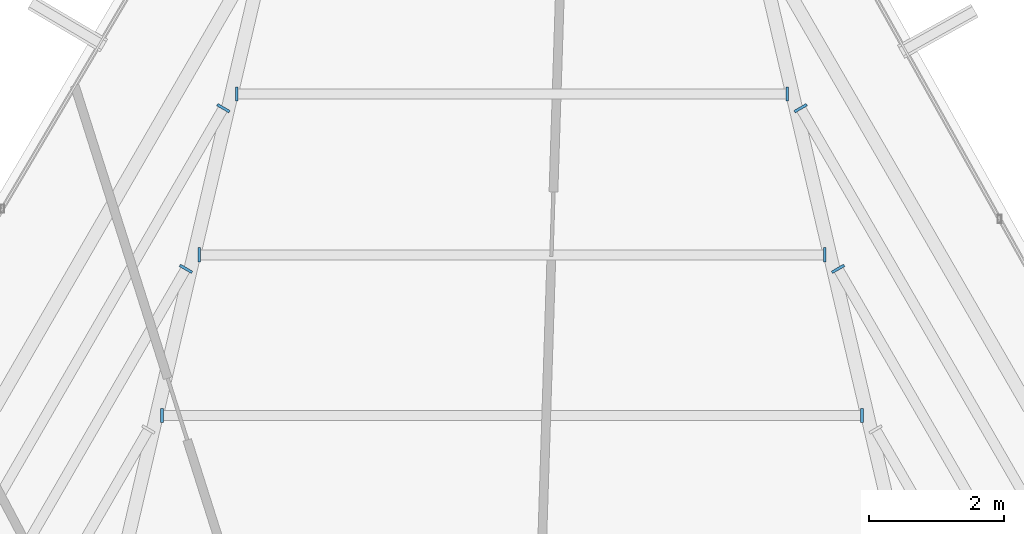
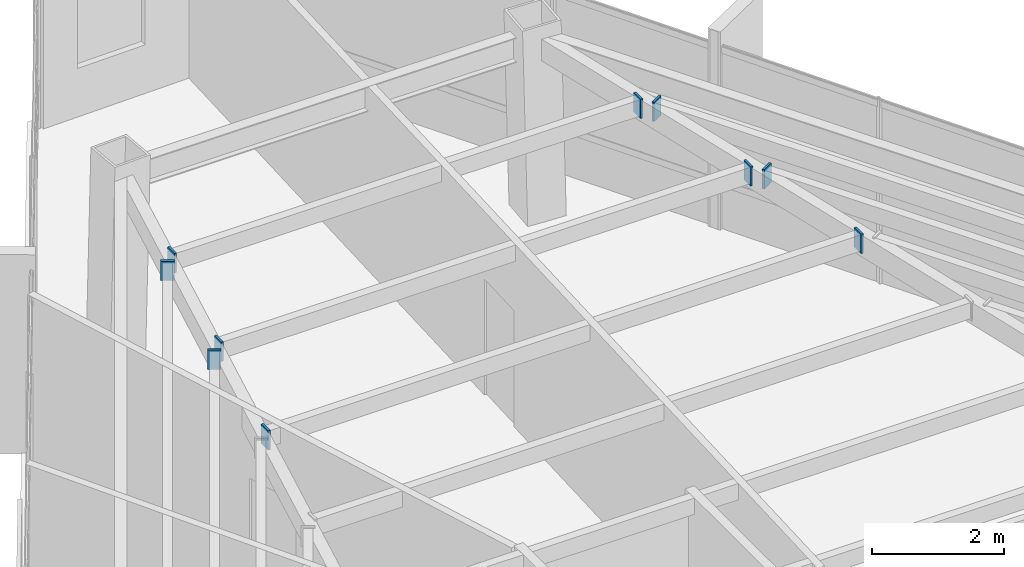
# One storey, part 39 of 45: 10 plates.
"""IFC4 building model written with IfcOpenShell, lengths in metres."""

import ifcopenshell
import ifcopenshell.guid

model = None  # the IFC model being written
_history = None  # IfcOwnerHistory: only IFC2X3 demands one
_inside = {}  # id of a spatial element -> (the spatial element, [elements in it])
_under = {}  # id of a project, library or spatial element -> (it, [spatial elements below it])
_declared = {}  # id of a project -> (the project, [libraries it declares])
_typed = {}  # id of a type object -> (the type object, [elements of that type])
_made_of = {}  # id of a material, layer set ... -> (it, [elements and type objects made of it])


def new_model(schema):
    """Start an empty IFC model of exactly this schema.

    Asked for "IFC4X3", IfcOpenShell would pick the latest addendum, in which some entities
    have other attributes; the version numbers below select the first issue.
    IFC2X3 requires an IfcOwnerHistory on every rooted entity: one is made here for all.
    """
    global model, _history
    if schema == "IFC4X3":
        model = ifcopenshell.file(schema_version=(4, 3, 0, 0))
    else:
        model = ifcopenshell.file(schema=schema)
    _inside.clear()
    _under.clear()
    _declared.clear()
    _typed.clear()
    _made_of.clear()
    _history = None
    if model.schema == "IFC2X3":
        org = make("IfcOrganization", Name="unknown")
        user = make(
            "IfcPersonAndOrganization",
            ThePerson=make("IfcPerson", FamilyName="unknown"),
            TheOrganization=org,
        )
        app = make(
            "IfcApplication",
            ApplicationDeveloper=org,
            Version="unknown",
            ApplicationFullName="unknown",
            ApplicationIdentifier="unknown",
        )
        _history = make(
            "IfcOwnerHistory",
            OwningUser=user,
            OwningApplication=app,
            ChangeAction="ADDED",
            CreationDate=0,
        )
    return model


def make(cls, **values):
    """One entity of the class cls with the attributes given. An attribute that is None is left unset."""
    return model.create_entity(
        cls, **{name: value for name, value in values.items() if value is not None}
    )


def rooted(cls, **values):
    """An entity with a GlobalId (a new one), such as an element, a storey or a relation."""
    return make(cls, GlobalId=ifcopenshell.guid.new(), OwnerHistory=_history, **values)


def si_unit(unit_type, name, prefix=None):
    """IfcSIUnit, for example si_unit("LENGTHUNIT", "METRE", prefix="MILLI")."""
    return make("IfcSIUnit", UnitType=unit_type, Prefix=prefix, Name=name)


def assignment(units):
    """IfcUnitAssignment: the units of a project."""
    return None if units is None else make("IfcUnitAssignment", Units=units)


def point(xyz):
    """IfcCartesianPoint."""
    return None if xyz is None else make("IfcCartesianPoint", Coordinates=xyz)


def direction(xyz):
    """IfcDirection."""
    return None if xyz is None else make("IfcDirection", DirectionRatios=xyz)


def frame(location, z_axis=None, x_axis=None):
    """IfcAxis2Placement3D, a coordinate frame: its origin and axes. An axis left out is left unset."""
    return make(
        "IfcAxis2Placement3D",
        Location=point(location),
        Axis=direction(z_axis),
        RefDirection=direction(x_axis),
    )


def frame_2d(location, x_axis=None):
    """IfcAxis2Placement2D, a coordinate frame in the plane: its origin and x axis."""
    return make(
        "IfcAxis2Placement2D", Location=point(location), RefDirection=direction(x_axis)
    )


def origin():
    """The frame at (0, 0, 0) with its axes left unset."""
    return frame((0.0, 0.0, 0.0))


def origin_2d():
    """The frame at (0, 0) in the plane with its x axis left unset."""
    return frame_2d((0.0, 0.0))


def place(relative_to, where):
    """IfcLocalPlacement: puts the frame where relative to a parent placement (None: the world)."""
    return make(
        "IfcLocalPlacement", PlacementRelTo=relative_to, RelativePlacement=where
    )


def context(
    kind, dimensions, precision=None, world=None, true_north=None, identifier=None
):
    """IfcGeometricRepresentationContext, for example the 3D "Model" context."""
    return make(
        "IfcGeometricRepresentationContext",
        ContextIdentifier=identifier,
        ContextType=kind,
        CoordinateSpaceDimension=dimensions,
        Precision=precision,
        WorldCoordinateSystem=world,
        TrueNorth=true_north,
    )


def subcontext(parent, identifier, kind, view, scale=None):
    """IfcGeometricRepresentationSubContext, for example "Body" below "Model"."""
    return make(
        "IfcGeometricRepresentationSubContext",
        ContextIdentifier=identifier,
        ContextType=kind,
        ParentContext=parent,
        TargetScale=scale,
        TargetView=view,
    )


def project(units=None, contexts=None):
    """IfcProject with its units and contexts."""
    return rooted(
        "IfcProject",
        Name="project",
        RepresentationContexts=contexts,
        UnitsInContext=assignment(units),
    )


def spatial(cls, under=None, at=None, **own):
    """A site, building, storey or space (cls), placed at a placement, below another one or the project."""
    s = rooted(cls, ObjectPlacement=at, **own)
    if under is not None:
        _under.setdefault(under.id(), (under, []))[1].append(s)
    return s


def profile(cls, at=None, kind="AREA", **sizes):
    """A parametric profile (cls). Its sizes go by their IFC names, for example OverallWidth=200.0."""
    return make(cls, ProfileType=kind, Position=at, **sizes)


def rectangle(**sizes):
    """IfcRectangleProfileDef."""
    return profile("IfcRectangleProfileDef", **sizes)


def extrude(swept, where, along, depth):
    """IfcExtrudedAreaSolid: the profile swept, set in the frame where, extruded along a direction by depth."""
    return make(
        "IfcExtrudedAreaSolid",
        SweptArea=swept,
        Position=where,
        ExtrudedDirection=direction(along),
        Depth=depth,
    )


def shape(context_of_items, identifier, shape_type, items):
    """IfcShapeRepresentation: the items that make up one representation, for example the "Body"."""
    return make(
        "IfcShapeRepresentation",
        ContextOfItems=context_of_items,
        RepresentationIdentifier=identifier,
        RepresentationType=shape_type,
        Items=items,
    )


def source(mapping_origin, context_of_items, identifier, shape_type, items):
    """IfcRepresentationMap: a shape defined once, which mapped items show again and again."""
    return make(
        "IfcRepresentationMap",
        MappingOrigin=mapping_origin,
        MappedRepresentation=shape(context_of_items, identifier, shape_type, items),
    )


def transform(
    local_origin,
    x_axis=None,
    y_axis=None,
    z_axis=None,
    scale=None,
    scale2=None,
    scale3=None,
    uniform=True,
):
    """IfcCartesianTransformationOperator3D, or its non-uniform kind. x_axis, y_axis, z_axis: its Axis1, 2, 3."""
    if uniform:
        return make(
            "IfcCartesianTransformationOperator3D",
            Axis1=direction(x_axis),
            Axis2=direction(y_axis),
            LocalOrigin=point(local_origin),
            Scale=scale,
            Axis3=direction(z_axis),
        )
    return make(
        "IfcCartesianTransformationOperator3DnonUniform",
        Axis1=direction(x_axis),
        Axis2=direction(y_axis),
        LocalOrigin=point(local_origin),
        Scale=scale,
        Axis3=direction(z_axis),
        Scale2=scale2,
        Scale3=scale3,
    )


def mapped(mapping_source, mapping_target):
    """IfcMappedItem: shows the shape of a source again, moved by a transform."""
    return make(
        "IfcMappedItem", MappingSource=mapping_source, MappingTarget=mapping_target
    )


def material(Name=None, Category=None):
    """IfcMaterial."""
    return make("IfcMaterial", Name=Name, Category=Category)


def layer(
    of_material, thickness, ventilated=None, Name=None, Category=None, Priority=None
):
    """IfcMaterialLayer: one layer of a wall or slab, of a material (None: an air gap)."""
    return make(
        "IfcMaterialLayer",
        Material=of_material,
        LayerThickness=thickness,
        IsVentilated=ventilated,
        Name=Name,
        Category=Category,
        Priority=Priority,
    )


def layer_set(layers, Name=None):
    """IfcMaterialLayerSet."""
    return make("IfcMaterialLayerSet", MaterialLayers=layers, LayerSetName=Name)


def made_of(thing, what):
    """Note that an element or type object is made of a material, layer set ...; save() writes the relation."""
    if what is not None:
        _made_of.setdefault(what.id(), (what, []))[1].append(thing)
    return thing


def type_object(cls, material=None, **own):
    """A type object (cls), such as IfcWallType, which elements share."""
    return made_of(rooted(cls, **own), material)


def type_shapes(of_type, sources):
    """Give a type object the sources (RepresentationMaps) that its elements show as mapped items."""
    of_type.RepresentationMaps = sources


def element(
    cls,
    number,
    at=None,
    inside=None,
    cuts=None,
    type_object=None,
    material=None,
    context=None,
    identifier="Body",
    shape_type=None,
    held_by="IfcProductDefinitionShape",
    body=None,
    shapes=None,
    **own,
):
    """One element of the class cls, such as IfcWall. Its Tag is "e" and its number.

    at: its placement. inside: the storey or other place that contains it. cuts: it is an
    opening in that element (IfcRelVoidsElement). A single representation is given by context,
    identifier, shape_type and body (its items); several are given by shapes. held_by: the class
    of the entity that holds the representations. save() writes the other relations.
    """
    e = rooted(cls, Tag="e%d" % number, ObjectPlacement=at, **own)
    if body is not None:
        shapes = [shape(context, identifier, shape_type, body)]
    if shapes is not None:
        e.Representation = make(held_by, Representations=shapes)
    if inside is not None:
        _inside.setdefault(inside.id(), (inside, []))[1].append(e)
    if cuts is not None:
        rooted(
            "IfcRelVoidsElement", RelatingBuildingElement=cuts, RelatedOpeningElement=e
        )
    if type_object is not None:
        _typed.setdefault(type_object.id(), (type_object, []))[1].append(e)
    return made_of(e, material)


def aggregate(whole, parts):
    """IfcRelAggregates: a whole, such as a stair, and the parts it consists of."""
    return rooted("IfcRelAggregates", RelatingObject=whole, RelatedObjects=parts)


def save(model, path):
    """Write the relations noted so far, then the file.

    IfcRelAggregates (storeys below a building ...), IfcRelContainedInSpatialStructure (elements
    in a storey), IfcRelDefinesByType, IfcRelAssociatesMaterial and IfcRelDeclares: one each for
    every whole, place, type object, material and project.
    """
    for whole, parts in _under.values():
        aggregate(whole, parts)
    for where, things in _inside.values():
        rooted(
            "IfcRelContainedInSpatialStructure",
            RelatedElements=things,
            RelatingStructure=where,
        )
    for kind, things in _typed.values():
        rooted("IfcRelDefinesByType", RelatedObjects=things, RelatingType=kind)
    for what, things in _made_of.values():
        rooted("IfcRelAssociatesMaterial", RelatedObjects=things, RelatingMaterial=what)
    for by, libraries in _declared.values():
        rooted("IfcRelDeclares", RelatingContext=by, RelatedDefinitions=libraries)
    model.write(path)


model = new_model("IFC4")

# Units and contexts
model_context = context("Model", 3, precision=1e-05, world=origin(), true_north=direction((0.0, 1.0)))
body_context = subcontext(model_context, "Body", "Model", "MODEL_VIEW")
ifc_project = project(units=[si_unit("LENGTHUNIT", "METRE"), si_unit("AREAUNIT", "SQUARE_METRE"), si_unit("VOLUMEUNIT", "CUBIC_METRE"), si_unit("PLANEANGLEUNIT", "RADIAN"), si_unit("MASSUNIT", "GRAM", prefix="KILO")], contexts=[model_context])

# Site, building, storey
site_placement = place(None, origin())
site = spatial("IfcSite", under=ifc_project, at=site_placement, CompositionType="ELEMENT")
building_placement = place(site_placement, origin())
building = spatial("IfcBuilding", under=site, at=building_placement, Name="Caelisora Broadcast Tower", CompositionType="ELEMENT")
storey_placement = place(building_placement, frame((0.0, 0.0, 262.699951171875)))
storey = spatial("IfcBuildingStorey", under=building, at=storey_placement, Name="L69", CompositionType="ELEMENT", Elevation=262.699951171875)

# Plates
ifc_material = material(Name="Steel Grade 350 L15 (AS/NZS 3678)", Category="steel")
ifc_layer = layer(ifc_material, 0.0400390625, Name="Steel Grade 350 L15 (AS/NZS 3678)")
ifc_layer_set = layer_set([ifc_layer], Name="Steel Grade 350 L15 (AS/NZS 3678)")
plate_type = type_object("IfcPlateType", Name="GP04", PredefinedType="USERDEFINED", material=ifc_layer_set)
shared_shape = source(origin(), body_context, "Body", "SweptSolid", [
    extrude(rectangle(XDim=0.2099609375, YDim=0.0400390625, at=origin_2d()), origin(), (0.0, 0.0, 1.0), 0.360107421875),
])
type_shapes(plate_type, [shared_shape])
for number, where, z_axis, x_axis, name in (
    (1, (43.196533203125, 39.538330078125, 3.06982421875), (0.0, 0.0, 1.0), (0.0, -1.0, 0.0), "L69 gusset plate GP04 (ND-SB-L69-004A)"),
    (2, (32.803466796875, 39.538330078125, 3.06982421875), (0.0, 0.0, 1.0), (0.0, -1.0, 0.0), "L69 gusset plate GP04 (ND-SB-L69-004B)"),
    (3, (42.640380859375, 41.923095703125, 3.06982421875), (0.0, 0.0, 1.0), (0.0, -1.0, 0.0), "L69 gusset plate GP04 (ND-SB-L69-005A)"),
    (4, (33.359619140625, 41.923095703125, 3.06982421875), (0.0, 0.0, 1.0), (0.0, -1.0, 0.0), "L69 gusset plate GP04 (ND-SB-L69-005B)"),
    (5, (42.084716796875, 44.3076171875, 3.06982421875), (0.0, 0.0, 1.0), (0.0, -1.0, 0.0), "L69 gusset plate GP04 (ND-SB-L69-006A)"),
    (6, (33.915283203125, 44.3076171875, 3.06982421875), (0.0, 0.0, 1.0), (0.0, -1.0, 0.0), "L69 gusset plate GP04 (ND-SB-L69-006B)"),
    (7, (33.15966796875, 41.715087890625, 3.06982421875), (0.0, 0.0, 1.0), (0.866025403784, -0.5, 0.0), "L69 gusset plate GP04 (ND-SB-L69-010A)"),
    (8, (33.715576171875, 44.099609375, 3.06982421875), (0.0, 0.0, 1.0), (0.866025403784, -0.5, 0.0), "L69 gusset plate GP04 (ND-SB-L69-011A)"),
    (9, (42.84033203125, 41.715087890625, 3.06982421875), (0.0, 0.0, 1.0), (-0.866025403784, -0.5, 0.0), "L69 gusset plate GP04 (ND-SB-L69-059B)"),
    (10, (42.284423828125, 44.099609375, 3.06982421875), (0.0, 0.0, 1.0), (-0.866025403784, -0.5, 0.0), "L69 gusset plate GP04 (ND-SB-L69-060B)"),
):
    element("IfcPlate", number, at=place(storey_placement, frame(where, z_axis=z_axis, x_axis=x_axis)), inside=storey, type_object=plate_type, Name=name, ObjectType="GUSSET PLATE", PredefinedType="USERDEFINED", context=body_context, shape_type="MappedRepresentation", body=[
        mapped(shared_shape, transform((0.0, 0.0, 0.0), scale=1.0)),
    ])

save(model, "model.ifc")
